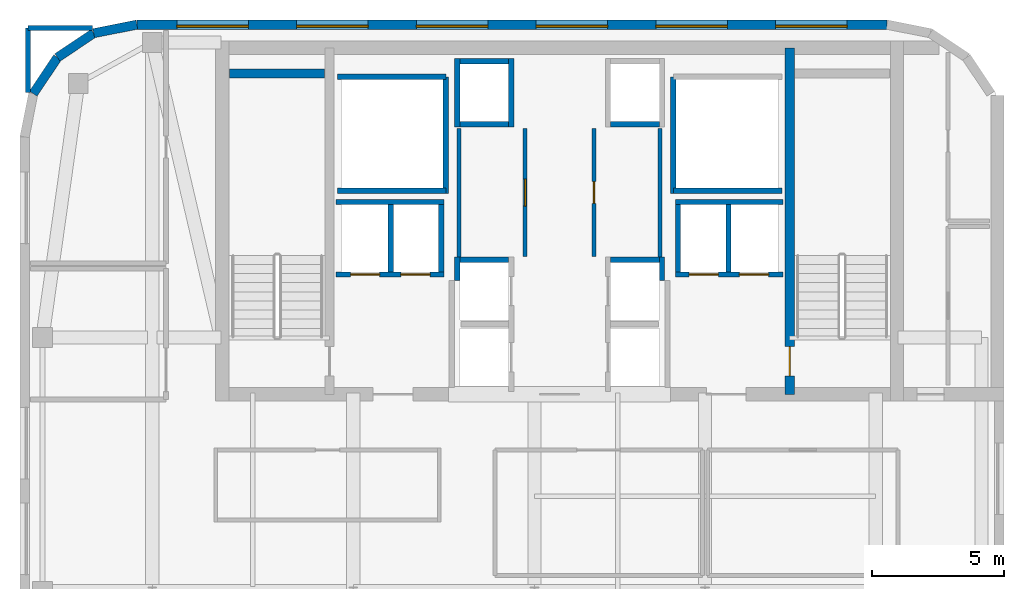
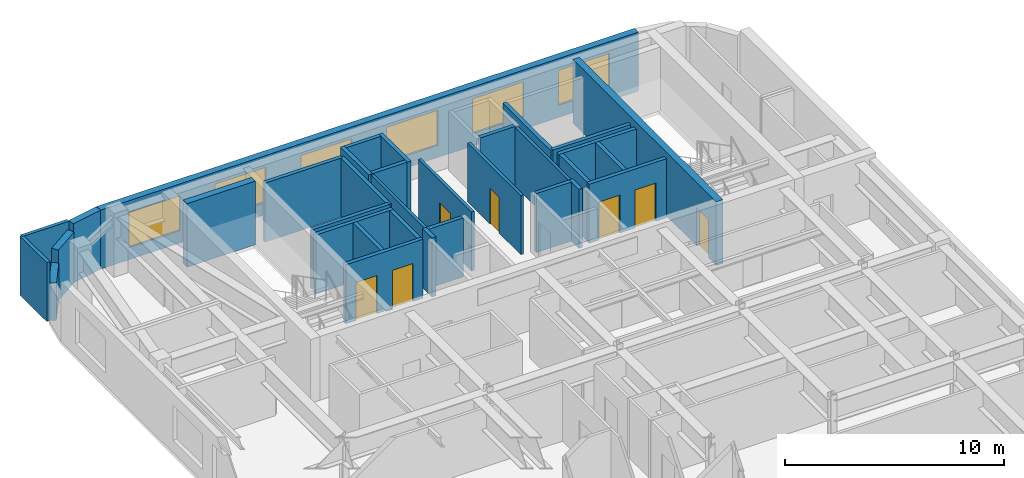
# One storey, part 6 of 8: 34 walls, 7 doors, 6 windows, 13 openings.
"""IFC4 building model written with IfcOpenShell, lengths in metres."""

from ifc_helpers import new_model, si_unit, direction, frame, frame_2d, origin, place, context, subcontext, project, spatial, rectangle, extrude, source, transform, mapped, material, layer, layer_set, type_object, type_shapes, element, fill, save


model = new_model("IFC4")

# Units and contexts
model_context = context("Model", 3, precision=1e-05, world=origin(), true_north=direction((0.0, 1.0)))
body_context = subcontext(model_context, "Body", "Model", "MODEL_VIEW")
ifc_project = project(units=[si_unit("LENGTHUNIT", "METRE"), si_unit("AREAUNIT", "SQUARE_METRE"), si_unit("VOLUMEUNIT", "CUBIC_METRE"), si_unit("PLANEANGLEUNIT", "RADIAN"), si_unit("MASSUNIT", "GRAM", prefix="KILO")], contexts=[model_context])

# Site, building, storey
site_placement = place(None, origin())
site = spatial("IfcSite", under=ifc_project, at=site_placement, CompositionType="ELEMENT")
building_placement = place(site_placement, origin())
building = spatial("IfcBuilding", under=site, at=building_placement, Name="Tolvann Quenvar Hotel", CompositionType="ELEMENT")
storey_placement = place(building_placement, frame((0.0, 0.0, 238.10009765625)))
storey = spatial("IfcBuildingStorey", under=building, at=storey_placement, Name="L63", CompositionType="ELEMENT", Elevation=238.10009765625)

# Wall, opening, door
ifc_material_1 = material(Name="Concrete S65 (65 MPa)", Category="concrete")
ifc_layer_1 = layer(ifc_material_1, 0.35009765625)
ifc_layer_set_1 = layer_set([ifc_layer_1], Name="Concrete S65 (65 MPa)")
wall_type_1 = type_object("IfcWallType", Name="WALL_CORE_INT_350", PredefinedType="SHEAR", material=ifc_layer_set_1)
wall_1_placement = place(storey_placement, frame((31.699951171875, 31.85009765625, 0.0), z_axis=(0.0, 0.0, 1.0), x_axis=(0.0, 1.0, 0.0)))
wall_1 = element("IfcWall", 1, at=wall_1_placement, inside=storey, type_object=wall_type_1, Name="Core Internal Web Shear Wall WEB-E (L63)", PredefinedType="SHEAR", context=body_context, shape_type="SweptSolid", body=[
    extrude(rectangle(XDim=13.099853515625, YDim=0.35009765625, at=frame_2d((6.5498046875, 0.0))), origin(), (0.0, 0.0, 1.0), 3.5498046875),
])
opening_1_placement = place(wall_1_placement, frame((1.800048828125, 0.0, 0.0), z_axis=(0.0, 0.0, 1.0), x_axis=(-1.0, 0.0, 0.0)))
opening_1 = element("IfcOpeningElement", 2, at=opening_1_placement, cuts=wall_1, Name="Opening FD-120", PredefinedType="OPENING", context=body_context, shape_type="SweptSolid", body=[
    extrude(rectangle(XDim=1.10009765625, YDim=2.1201171875, at=frame_2d((0.550048828125, 1.06005859375))), frame((0.0, 0.18505859375, 0.0), z_axis=(0.0, -1.0, 0.0), x_axis=(1.0, 0.0, 0.0)), (0.0, 0.0, 1.0), 0.3701171875),
])
ifc_material_2 = material(Name="Pressed galvanised steel fire-rated door set", Category="steel")
door_type_1 = type_object("IfcDoorType", Name="DOOR_FIRE_STAIR_1100", OperationType="NOTDEFINED", PredefinedType="DOOR", material=ifc_material_2)
shared_shape_1 = source(origin(), body_context, "Body", "SweptSolid", [
    extrude(rectangle(XDim=1.10009765625, YDim=2.1201171875, at=frame_2d((0.550048828125, 1.06005859375))), frame((0.0, 0.02490234375, 0.0), z_axis=(0.0, -1.0, 0.0), x_axis=(1.0, 0.0, 0.0)), (0.0, 0.0, 1.0), 0.050048828125),
])
type_shapes(door_type_1, [shared_shape_1])
door_1_placement = place(opening_1_placement, origin())
door_1 = element("IfcDoor", 3, at=door_1_placement, inside=storey, type_object=door_type_1, Name="Exit Stair ST-C2 Fire Door (L63)", OperationType="SINGLE_SWING_LEFT", OverallHeight=2.1201171875, OverallWidth=1.10009765625, PredefinedType="DOOR", context=body_context, shape_type="MappedRepresentation", body=[
    mapped(shared_shape_1, transform((0.0, 0.0, 0.0), x_axis=(1.0, 0.0, 0.0), y_axis=(0.0, 1.0, 0.0), z_axis=(0.0, 0.0, 1.0), scale=1.0)),
])
fill(opening_1, door_1)

# Wall
wall_2_placement = place(storey_placement, frame((10.52001953125, 43.97509765625, 0.0), z_axis=(0.0, 0.0, 1.0), x_axis=(1.0, 0.0, 0.0)))
element("IfcWall", 4, at=wall_2_placement, inside=storey, type_object=wall_type_1, Name="Core Stair North Closing Shear Wall STC1-N (L63)", PredefinedType="SHEAR", context=body_context, shape_type="SweptSolid", body=[
    extrude(rectangle(XDim=3.60009765625, YDim=0.35009765625, at=frame_2d((1.800048828125, 0.0))), origin(), (0.0, 0.0, 1.0), 3.5498046875),
])

# Wall, openings, windows
ifc_material_3 = material(Name="Kiln-fired red and buff architectural clay brickwork and terracotta masonry", Category="masonry")
ifc_layer_2 = layer(ifc_material_3, 0.35009765625)
ifc_layer_set_2 = layer_set([ifc_layer_2], Name="Kiln-fired red and buff architectural clay brickwork and terracotta masonry")
wall_type_2 = type_object("IfcWallType", Name="WALL_EXT_BRICK_350", PredefinedType="SOLIDWALL", material=ifc_layer_set_2)
wall_3_placement = place(storey_placement, frame((35.3828125, 45.824951171875, 0.0), z_axis=(0.0, 0.0, 1.0), x_axis=(-1.0, 0.0, 0.0)))
wall_3 = element("IfcWall", 5, at=wall_3_placement, inside=storey, type_object=wall_type_2, Name="Exterior Chicago Brick Wall L63-E14", PredefinedType="SOLIDWALL", context=body_context, shape_type="SweptSolid", body=[
    extrude(rectangle(XDim=28.36572265625, YDim=0.35009765625, at=frame_2d((14.182861328125, 0.0))), origin(), (0.0, 0.0, 1.0), 3.289794921875),
])
opening_2_placement = place(wall_3_placement, frame((1.513916015625, 0.0, 0.679931640625)))
opening_2 = element("IfcOpeningElement", 6, at=opening_2_placement, cuts=wall_3, Name="Opening W-04", PredefinedType="OPENING", context=body_context, shape_type="SweptSolid", body=[
    extrude(rectangle(XDim=2.699951171875, YDim=1.949951171875, at=frame_2d((1.35009765625, 0.97509765625))), frame((0.0, 0.18505859375, 0.0), z_axis=(0.0, -1.0, 0.0), x_axis=(1.0, 0.0, 0.0)), (0.0, 0.0, 1.0), 0.3701171875),
])
opening_3_placement = place(wall_3_placement, frame((6.041015625, 0.0, 0.679931640625)))
opening_3 = element("IfcOpeningElement", 7, at=opening_3_placement, cuts=wall_3, Name="Opening W-04", PredefinedType="OPENING", context=body_context, shape_type="SweptSolid", body=[
    extrude(rectangle(XDim=2.699951171875, YDim=1.949951171875, at=frame_2d((1.35009765625, 0.97509765625))), frame((0.0, 0.18505859375, 0.0), z_axis=(0.0, -1.0, 0.0), x_axis=(1.0, 0.0, 0.0)), (0.0, 0.0, 1.0), 0.3701171875),
])
opening_4_placement = place(wall_3_placement, frame((10.569091796875, 0.0, 0.679931640625)))
opening_4 = element("IfcOpeningElement", 8, at=opening_4_placement, cuts=wall_3, Name="Opening W-04", PredefinedType="OPENING", context=body_context, shape_type="SweptSolid", body=[
    extrude(rectangle(XDim=2.699951171875, YDim=1.949951171875, at=frame_2d((1.35009765625, 0.97509765625))), frame((0.0, 0.18505859375, 0.0), z_axis=(0.0, -1.0, 0.0), x_axis=(1.0, 0.0, 0.0)), (0.0, 0.0, 1.0), 0.3701171875),
])
opening_5_placement = place(wall_3_placement, frame((15.096923828125, 0.0, 0.679931640625)))
opening_5 = element("IfcOpeningElement", 9, at=opening_5_placement, cuts=wall_3, Name="Opening W-04", PredefinedType="OPENING", context=body_context, shape_type="SweptSolid", body=[
    extrude(rectangle(XDim=2.699951171875, YDim=1.949951171875, at=frame_2d((1.35009765625, 0.97509765625))), frame((0.0, 0.18505859375, 0.0), z_axis=(0.0, -1.0, 0.0), x_axis=(1.0, 0.0, 0.0)), (0.0, 0.0, 1.0), 0.3701171875),
])
opening_6_placement = place(wall_3_placement, frame((19.6240234375, 0.0, 0.679931640625)))
opening_6 = element("IfcOpeningElement", 10, at=opening_6_placement, cuts=wall_3, Name="Opening W-04", PredefinedType="OPENING", context=body_context, shape_type="SweptSolid", body=[
    extrude(rectangle(XDim=2.699951171875, YDim=1.949951171875, at=frame_2d((1.35009765625, 0.97509765625))), frame((0.0, 0.18505859375, 0.0), z_axis=(0.0, -1.0, 0.0), x_axis=(1.0, 0.0, 0.0)), (0.0, 0.0, 1.0), 0.3701171875),
])
opening_7_placement = place(wall_3_placement, frame((24.152099609375, 0.0, 0.679931640625)))
opening_7 = element("IfcOpeningElement", 11, at=opening_7_placement, cuts=wall_3, Name="Opening W-04", PredefinedType="OPENING", context=body_context, shape_type="SweptSolid", body=[
    extrude(rectangle(XDim=2.699951171875, YDim=1.949951171875, at=frame_2d((1.35009765625, 0.97509765625))), frame((0.0, 0.18505859375, 0.0), z_axis=(0.0, -1.0, 0.0), x_axis=(1.0, 0.0, 0.0)), (0.0, 0.0, 1.0), 0.3701171875),
])
ifc_material_4 = material(Name="Thermally broken bronze-anodised aluminium frame with double low-E glazing", Category="aluminium")
window_type = type_object("IfcWindowType", Name="WIN_STE_2700x2150", PartitioningType="TRIPLE_PANEL_HORIZONTAL", PredefinedType="WINDOW", material=ifc_material_4)
shared_shape_2 = source(origin(), body_context, "Body", "SweptSolid", [
    extrude(rectangle(XDim=2.699951171875, YDim=1.949951171875, at=frame_2d((1.35009765625, 0.97509765625))), frame((0.0, 0.090087890625, 0.0), z_axis=(0.0, -1.0, 0.0), x_axis=(1.0, 0.0, 0.0)), (0.0, 0.0, 1.0), 0.06005859375),
])
type_shapes(window_type, [shared_shape_2])
window_1_placement = place(opening_2_placement, origin())
window_1 = element("IfcWindow", 12, at=window_1_placement, inside=storey, type_object=window_type, Name="Chicago Window W-04 (EW-L63-E14-W01)", OverallHeight=1.949951171875, OverallWidth=2.699951171875, PartitioningType="TRIPLE_PANEL_HORIZONTAL", PredefinedType="WINDOW", context=body_context, shape_type="MappedRepresentation", body=[
    mapped(shared_shape_2, transform((0.0, 0.0, 0.0), x_axis=(1.0, 0.0, 0.0), y_axis=(0.0, 1.0, 0.0), z_axis=(0.0, 0.0, 1.0), scale=1.0)),
])
fill(opening_2, window_1)
window_2_placement = place(opening_3_placement, origin())
window_2 = element("IfcWindow", 13, at=window_2_placement, inside=storey, type_object=window_type, Name="Chicago Window W-04 (EW-L63-E14-W02)", OverallHeight=1.949951171875, OverallWidth=2.699951171875, PartitioningType="TRIPLE_PANEL_HORIZONTAL", PredefinedType="WINDOW", context=body_context, shape_type="MappedRepresentation", body=[
    mapped(shared_shape_2, transform((0.0, 0.0, 0.0), x_axis=(1.0, 0.0, 0.0), y_axis=(0.0, 1.0, 0.0), z_axis=(0.0, 0.0, 1.0), scale=1.0)),
])
fill(opening_3, window_2)
window_3_placement = place(opening_4_placement, origin())
window_3 = element("IfcWindow", 14, at=window_3_placement, inside=storey, type_object=window_type, Name="Chicago Window W-04 (EW-L63-E14-W03)", OverallHeight=1.949951171875, OverallWidth=2.699951171875, PartitioningType="TRIPLE_PANEL_HORIZONTAL", PredefinedType="WINDOW", context=body_context, shape_type="MappedRepresentation", body=[
    mapped(shared_shape_2, transform((0.0, 0.0, 0.0), x_axis=(1.0, 0.0, 0.0), y_axis=(0.0, 1.0, 0.0), z_axis=(0.0, 0.0, 1.0), scale=1.0)),
])
fill(opening_4, window_3)
window_4_placement = place(opening_5_placement, origin())
window_4 = element("IfcWindow", 15, at=window_4_placement, inside=storey, type_object=window_type, Name="Chicago Window W-04 (EW-L63-E14-W04)", OverallHeight=1.949951171875, OverallWidth=2.699951171875, PartitioningType="TRIPLE_PANEL_HORIZONTAL", PredefinedType="WINDOW", context=body_context, shape_type="MappedRepresentation", body=[
    mapped(shared_shape_2, transform((0.0, 0.0, 0.0), x_axis=(1.0, 0.0, 0.0), y_axis=(0.0, 1.0, 0.0), z_axis=(0.0, 0.0, 1.0), scale=1.0)),
])
fill(opening_5, window_4)
window_5_placement = place(opening_6_placement, origin())
window_5 = element("IfcWindow", 16, at=window_5_placement, inside=storey, type_object=window_type, Name="Chicago Window W-04 (EW-L63-E14-W05)", OverallHeight=1.949951171875, OverallWidth=2.699951171875, PartitioningType="TRIPLE_PANEL_HORIZONTAL", PredefinedType="WINDOW", context=body_context, shape_type="MappedRepresentation", body=[
    mapped(shared_shape_2, transform((0.0, 0.0, 0.0), x_axis=(1.0, 0.0, 0.0), y_axis=(0.0, 1.0, 0.0), z_axis=(0.0, 0.0, 1.0), scale=1.0)),
])
fill(opening_6, window_5)
window_6_placement = place(opening_7_placement, origin())
window_6 = element("IfcWindow", 17, at=window_6_placement, inside=storey, type_object=window_type, Name="Chicago Window W-04 (EW-L63-E14-W06)", OverallHeight=1.949951171875, OverallWidth=2.699951171875, PartitioningType="TRIPLE_PANEL_HORIZONTAL", PredefinedType="WINDOW", context=body_context, shape_type="MappedRepresentation", body=[
    mapped(shared_shape_2, transform((0.0, 0.0, 0.0), x_axis=(1.0, 0.0, 0.0), y_axis=(0.0, 1.0, 0.0), z_axis=(0.0, 0.0, 1.0), scale=1.0)),
])
fill(opening_7, window_6)

# Walls
wall_4_placement = place(storey_placement, frame((7.01708984375, 45.824951171875, 0.0), z_axis=(0.0, 0.0, 1.0), x_axis=(-0.980788844421, -0.195072403631, 0.0)))
element("IfcWall", 18, at=wall_4_placement, inside=storey, type_object=wall_type_2, Name="Exterior Chicago Brick Wall L63-E15", PredefinedType="SOLIDWALL", context=body_context, shape_type="SweptSolid", body=[
    extrude(rectangle(XDim=1.66455078125, YDim=0.35009765625, at=frame_2d((0.832275390625, 0.0))), origin(), (0.0, 0.0, 1.0), 3.289794921875),
])
wall_5_placement = place(storey_placement, frame((5.384521484375, 45.500244140625, 0.0), z_axis=(0.0, 0.0, 1.0), x_axis=(-0.831502623162, -0.555520825599, 0.0)))
element("IfcWall", 19, at=wall_5_placement, inside=storey, type_object=wall_type_2, Name="Exterior Chicago Brick Wall L63-E16", PredefinedType="SOLIDWALL", context=body_context, shape_type="SweptSolid", body=[
    extrude(rectangle(XDim=1.647216796875, YDim=0.35009765625, at=frame_2d((0.82373046875, 0.0))), origin(), (0.0, 0.0, 1.0), 2.81982421875),
])
wall_6_placement = place(storey_placement, frame((4.014892578125, 44.585205078125, 0.0), z_axis=(0.0, 0.0, 1.0), x_axis=(-0.555623290322, -0.831434158098, 0.0)))
element("IfcWall", 20, at=wall_6_placement, inside=storey, type_object=wall_type_2, Name="Exterior Chicago Brick Wall L63-E17", PredefinedType="SOLIDWALL", context=body_context, shape_type="SweptSolid", body=[
    extrude(rectangle(XDim=1.647216796875, YDim=0.35009765625, at=frame_2d((0.82373046875, 0.0))), origin(), (0.0, 0.0, 1.0), 2.079833984375),
])
ifc_material_5 = material(Name="Acoustic twin-stud fire-rated gypsum plasterboard partition")
ifc_layer_3 = layer(ifc_material_5, 0.179931640625)
ifc_layer_set_3 = layer_set([ifc_layer_3], Name="Acoustic twin-stud fire-rated gypsum plasterboard partition")
wall_type_3 = type_object("IfcWallType", Name="WALL_PART_ACOUSTIC_180", PredefinedType="PARTITIONING", material=ifc_layer_set_3)
for number, where, z_axis, x_axis, name in (
    (21, (2.89990234375, 45.699951171875, 0.0), (0.0, 0.0, 1.0), (1.0, 0.0, 0.0), "Interior Partition PT-SPC-L63-STD-N"),
    (22, (2.89990234375, 43.2548828125, 0.0), (0.0, 0.0, 1.0), (0.0, 1.0, 0.0), "Interior Partition PT-SPC-L63-STD-W"),
):
    element("IfcWall", number, at=place(storey_placement, frame(where, z_axis=z_axis, x_axis=x_axis)), inside=storey, type_object=wall_type_3, Name=name, PredefinedType="PARTITIONING", context=body_context, shape_type="SweptSolid", body=[
        extrude(rectangle(XDim=2.445068359375, YDim=0.179931640625, at=frame_2d((1.22265625, 0.0))), origin(), (0.0, 0.0, 1.0), 3.289794921875),
    ])

# Wall, opening, door
ifc_layer_4 = layer(ifc_material_5, 0.14990234375)
ifc_layer_set_4 = layer_set([ifc_layer_4], Name="Acoustic twin-stud fire-rated gypsum plasterboard partition")
wall_type_4 = type_object("IfcWallType", Name="WALL_PART_SUITE_150", PredefinedType="PARTITIONING", material=ifc_layer_set_4)
wall_7_placement = place(storey_placement, frame((21.699951171875, 37.050048828125, 0.0), z_axis=(0.0, 0.0, 1.0), x_axis=(0.0, 1.0, 0.0)))
wall_7 = element("IfcWall", 23, at=wall_7_placement, inside=storey, type_object=wall_type_4, Name="Interior Partition PT-SPC-L63-RECPM-1-ENT", PredefinedType="PARTITIONING", context=body_context, shape_type="SweptSolid", body=[
    extrude(rectangle(XDim=4.849853515625, YDim=0.14990234375, at=frame_2d((2.4248046875, 0.0))), origin(), (0.0, 0.0, 1.0), 3.289794921875),
])
opening_8_placement = place(wall_7_placement, frame((1.9150390625, 0.0, 0.0)))
opening_8 = element("IfcOpeningElement", 24, at=opening_8_placement, cuts=wall_7, Name="Opening HD-01", PredefinedType="OPENING", context=body_context, shape_type="SweptSolid", body=[
    extrude(rectangle(XDim=1.02001953125, YDim=2.030029296875, at=frame_2d((0.510009765625, 1.01513671875))), frame((0.0, 0.0849609375, 0.0), z_axis=(0.0, -1.0, 0.0), x_axis=(1.0, 0.0, 0.0)), (0.0, 0.0, 1.0), 0.169921875),
])
door_type_2 = type_object("IfcDoorType", Name="DOOR_BOH_1020", OperationType="NOTDEFINED", PredefinedType="DOOR", material=ifc_material_2)
shared_shape_3 = source(origin(), body_context, "Body", "SweptSolid", [
    extrude(rectangle(XDim=1.02001953125, YDim=2.030029296875, at=frame_2d((0.510009765625, 1.01513671875))), frame((0.0, 0.02490234375, 0.0), z_axis=(0.0, -1.0, 0.0), x_axis=(1.0, 0.0, 0.0)), (0.0, 0.0, 1.0), 0.050048828125),
])
type_shapes(door_type_2, [shared_shape_3])
door_2_placement = place(opening_8_placement, origin())
door_2 = element("IfcDoor", 25, at=door_2_placement, inside=storey, type_object=door_type_2, Name="Interior Door DOOR-SPC-L63-RECPM-1", OperationType="SINGLE_SWING_LEFT", OverallHeight=2.030029296875, OverallWidth=1.02001953125, PredefinedType="DOOR", context=body_context, shape_type="MappedRepresentation", body=[
    mapped(shared_shape_3, transform((0.0, 0.0, 0.0), x_axis=(1.0, 0.0, 0.0), y_axis=(0.0, 1.0, 0.0), z_axis=(0.0, 0.0, 1.0), scale=1.0)),
])
fill(opening_8, door_2)

# Wall
wall_8_placement = place(storey_placement, frame((19.199951171875, 37.0400390625, 0.0), z_axis=(0.0, 0.0, 1.0), x_axis=(0.0, 1.0, 0.0)))
element("IfcWall", 26, at=wall_8_placement, inside=storey, type_object=wall_type_4, Name="Interior Partition PT-SPC-L63-RECPM-1-W", PredefinedType="PARTITIONING", context=body_context, shape_type="SweptSolid", body=[
    extrude(rectangle(XDim=4.85986328125, YDim=0.14990234375, at=frame_2d((2.429931640625, 0.0))), origin(), (0.0, 0.0, 1.0), 3.289794921875),
])

# Wall, opening, door
wall_9_placement = place(storey_placement, frame((24.300048828125, 37.050048828125, 0.0), z_axis=(0.0, 0.0, 1.0), x_axis=(0.0, 1.0, 0.0)))
wall_9 = element("IfcWall", 27, at=wall_9_placement, inside=storey, type_object=wall_type_4, Name="Interior Partition PT-SPC-L63-RECPM-2-ENT", PredefinedType="PARTITIONING", context=body_context, shape_type="SweptSolid", body=[
    extrude(rectangle(XDim=4.849853515625, YDim=0.14990234375, at=frame_2d((2.4248046875, 0.0))), origin(), (0.0, 0.0, 1.0), 3.289794921875),
])
opening_9_placement = place(wall_9_placement, frame((2.014892578125, 0.0, 0.0)))
opening_9 = element("IfcOpeningElement", 28, at=opening_9_placement, cuts=wall_9, Name="Opening HD-02", PredefinedType="OPENING", context=body_context, shape_type="SweptSolid", body=[
    extrude(rectangle(XDim=0.820068359375, YDim=2.010009765625, at=frame_2d((0.41015625, 1.0048828125))), frame((0.0, 0.0849609375, 0.0), z_axis=(0.0, -1.0, 0.0), x_axis=(1.0, 0.0, 0.0)), (0.0, 0.0, 1.0), 0.169921875),
])
door_type_3 = type_object("IfcDoorType", Name="DOOR_STORE_820", OperationType="NOTDEFINED", PredefinedType="DOOR", material=ifc_material_2)
shared_shape_4 = source(origin(), body_context, "Body", "SweptSolid", [
    extrude(rectangle(XDim=0.820068359375, YDim=2.010009765625, at=frame_2d((0.41015625, 1.0048828125))), frame((0.0, 0.02490234375, 0.0), z_axis=(0.0, -1.0, 0.0), x_axis=(1.0, 0.0, 0.0)), (0.0, 0.0, 1.0), 0.050048828125),
])
type_shapes(door_type_3, [shared_shape_4])
door_3_placement = place(opening_9_placement, origin())
door_3 = element("IfcDoor", 29, at=door_3_placement, inside=storey, type_object=door_type_3, Name="Interior Door DOOR-SPC-L63-RECPM-2", OperationType="SINGLE_SWING_RIGHT", OverallHeight=2.010009765625, OverallWidth=0.820068359375, PredefinedType="DOOR", context=body_context, shape_type="MappedRepresentation", body=[
    mapped(shared_shape_4, transform((0.0, 0.0, 0.0), x_axis=(1.0, 0.0, 0.0), y_axis=(0.0, 1.0, 0.0), z_axis=(0.0, 0.0, 1.0), scale=1.0)),
])
fill(opening_9, door_3)

# Walls
wall_10_placement = place(storey_placement, frame((26.800048828125, 37.0400390625, 0.0), z_axis=(0.0, 0.0, 1.0), x_axis=(0.0, 1.0, 0.0)))
element("IfcWall", 30, at=wall_10_placement, inside=storey, type_object=wall_type_4, Name="Interior Partition PT-SPC-L63-RECPM-2-E", PredefinedType="PARTITIONING", context=body_context, shape_type="SweptSolid", body=[
    extrude(rectangle(XDim=4.85986328125, YDim=0.14990234375, at=frame_2d((2.429931640625, 0.0))), origin(), (0.0, 0.0, 1.0), 3.289794921875),
])
ifc_material_6 = material(Name="Concrete N40 (40 MPa)", Category="concrete")
ifc_layer_5 = layer(ifc_material_6, 0.199951171875)
ifc_layer_set_5 = layer_set([ifc_layer_5], Name="Concrete N40 (40 MPa)")
wall_type_5 = type_object("IfcWallType", Name="WALL_SHAFT_200", PredefinedType="SOLIDWALL", material=ifc_layer_set_5)
wall_11_placement = place(storey_placement, frame((18.699951171875, 39.449951171875, 0.0), z_axis=(0.0, 0.0, 1.0), x_axis=(0.0, 1.0, 0.0)))
element("IfcWall", 31, at=wall_11_placement, inside=storey, type_object=wall_type_5, Name="Service Riser W Shaft Wall IN (L63)", PredefinedType="SOLIDWALL", context=body_context, shape_type="SweptSolid", body=[
    extrude(rectangle(XDim=4.400146484375, YDim=0.199951171875, at=frame_2d((2.2001953125, 0.0))), origin(), (0.0, 0.0, 1.0), 3.289794921875),
])
for number, where, z_axis, x_axis, name in (
    (32, (14.60009765625, 39.550048828125, 0.0), (0.0, 0.0, 1.0), (1.0, 0.0, 0.0), "Service Riser W Shaft Wall S (L63)"),
    (33, (14.60009765625, 43.85009765625, 0.0), (0.0, 0.0, 1.0), (1.0, 0.0, 0.0), "Service Riser W Shaft Wall N (L63)"),
):
    element("IfcWall", number, at=place(storey_placement, frame(where, z_axis=z_axis, x_axis=x_axis)), inside=storey, type_object=wall_type_5, Name=name, PredefinedType="SOLIDWALL", context=body_context, shape_type="SweptSolid", body=[
        extrude(rectangle(XDim=4.099853515625, YDim=0.199951171875, at=frame_2d((2.0498046875, 0.0))), origin(), (0.0, 0.0, 1.0), 3.289794921875),
    ])
wall_12_placement = place(storey_placement, frame((27.300048828125, 39.449951171875, 0.0), z_axis=(0.0, 0.0, 1.0), x_axis=(0.0, 1.0, 0.0)))
element("IfcWall", 34, at=wall_12_placement, inside=storey, type_object=wall_type_5, Name="Service Riser E Shaft Wall IN (L63)", PredefinedType="SOLIDWALL", context=body_context, shape_type="SweptSolid", body=[
    extrude(rectangle(XDim=4.400146484375, YDim=0.199951171875, at=frame_2d((2.2001953125, 0.0))), origin(), (0.0, 0.0, 1.0), 3.289794921875),
])
wall_13_placement = place(storey_placement, frame((27.300048828125, 39.550048828125, 0.0), z_axis=(0.0, 0.0, 1.0), x_axis=(1.0, 0.0, 0.0)))
element("IfcWall", 35, at=wall_13_placement, inside=storey, type_object=wall_type_5, Name="Service Riser E Shaft Wall S (L63)", PredefinedType="SOLIDWALL", context=body_context, shape_type="SweptSolid", body=[
    extrude(rectangle(XDim=4.099853515625, YDim=0.199951171875, at=frame_2d((2.0498046875, 0.0))), origin(), (0.0, 0.0, 1.0), 3.289794921875),
])
wall_14_placement = place(storey_placement, frame((19.1298828125, 36.159912109375, 0.0), z_axis=(0.0, 0.0, 1.0), x_axis=(0.0, 1.0, 0.0)))
element("IfcWall", 36, at=wall_14_placement, inside=storey, type_object=wall_type_5, Name="Lift Bank E21.1C1 Hoistway Rear Wall (L63)", PredefinedType="SOLIDWALL", context=body_context, shape_type="SweptSolid", body=[
    extrude(rectangle(XDim=0.880126953125, YDim=0.199951171875, at=frame_2d((0.43994140625, 0.0))), origin(), (0.0, 0.0, 1.0), 3.289794921875),
])
wall_15_placement = place(storey_placement, frame((19.22998046875, 36.93994140625, 0.0), z_axis=(0.0, 0.0, 1.0), x_axis=(1.0, 0.0, 0.0)))
element("IfcWall", 37, at=wall_15_placement, inside=storey, type_object=wall_type_5, Name="Lift Bank E21.1C1 Hoistway Cheek Wall 2 (L63)", PredefinedType="SOLIDWALL", context=body_context, shape_type="SweptSolid", body=[
    extrude(rectangle(XDim=1.840087890625, YDim=0.199951171875, at=frame_2d((0.919921875, 0.0))), origin(), (0.0, 0.0, 1.0), 3.289794921875),
])
for number, where, z_axis, x_axis, name in (
    (38, (21.169921875, 41.9599609375, 0.0), (0.0, 0.0, 1.0), (0.0, 1.0, 0.0), "Lift Bank E21.1C2 Hoistway Front Wall (L63)"),
    (39, (19.1298828125, 41.9599609375, 0.0), (0.0, 0.0, 1.0), (0.0, 1.0, 0.0), "Lift Bank E21.1C2 Hoistway Rear Wall (L63)"),
):
    element("IfcWall", number, at=place(storey_placement, frame(where, z_axis=z_axis, x_axis=x_axis)), inside=storey, type_object=wall_type_5, Name=name, PredefinedType="SOLIDWALL", context=body_context, shape_type="SweptSolid", body=[
        extrude(rectangle(XDim=2.580078125, YDim=0.199951171875, at=frame_2d((1.2900390625, 0.0))), origin(), (0.0, 0.0, 1.0), 3.289794921875),
    ])
for number, where, z_axis, x_axis, name in (
    (40, (19.22998046875, 42.06005859375, 0.0), (0.0, 0.0, 1.0), (1.0, 0.0, 0.0), "Lift Bank E21.1C2 Hoistway Cheek Wall 1 (L63)"),
    (41, (19.22998046875, 44.43994140625, 0.0), (0.0, 0.0, 1.0), (1.0, 0.0, 0.0), "Lift Bank E21.1C2 Hoistway Cheek Wall 2 (L63)"),
):
    element("IfcWall", number, at=place(storey_placement, frame(where, z_axis=z_axis, x_axis=x_axis)), inside=storey, type_object=wall_type_5, Name=name, PredefinedType="SOLIDWALL", context=body_context, shape_type="SweptSolid", body=[
        extrude(rectangle(XDim=1.840087890625, YDim=0.199951171875, at=frame_2d((0.919921875, 0.0))), origin(), (0.0, 0.0, 1.0), 3.289794921875),
    ])

# Wall, openings, doors
wall_16_placement = place(storey_placement, frame((27.375, 36.3798828125, 0.0), z_axis=(0.0, 0.0, 1.0), x_axis=(1.0, 0.0, 0.0)))
wall_16 = element("IfcWall", 42, at=wall_16_placement, inside=storey, type_object=wall_type_5, Name="Lift Bank SEC1 Hoistway Front Wall (L63)", PredefinedType="SOLIDWALL", context=body_context, shape_type="SweptSolid", body=[
    extrude(rectangle(XDim=4.074951171875, YDim=0.199951171875, at=frame_2d((2.03759765625, 0.0))), origin(), (0.0, 0.0, 1.0), 3.289794921875),
])
opening_10_placement = place(wall_16_placement, frame((0.52490234375, 0.0, 0.0)))
opening_10 = element("IfcOpeningElement", 43, at=opening_10_placement, cuts=wall_16, Name="Opening LD-01", PredefinedType="OPENING", context=body_context, shape_type="SweptSolid", body=[
    extrude(rectangle(XDim=1.10009765625, YDim=2.1201171875, at=frame_2d((0.550048828125, 1.06005859375))), frame((0.0, 0.10986328125, 0.0), z_axis=(0.0, -1.0, 0.0), x_axis=(1.0, 0.0, 0.0)), (0.0, 0.0, 1.0), 0.219970703125),
])
opening_11_placement = place(wall_16_placement, frame((2.425048828125, 0.0, 0.0)))
opening_11 = element("IfcOpeningElement", 44, at=opening_11_placement, cuts=wall_16, Name="Opening LD-01", PredefinedType="OPENING", context=body_context, shape_type="SweptSolid", body=[
    extrude(rectangle(XDim=1.10009765625, YDim=2.1201171875, at=frame_2d((0.550048828125, 1.06005859375))), frame((0.0, 0.10986328125, 0.0), z_axis=(0.0, -1.0, 0.0), x_axis=(1.0, 0.0, 0.0)), (0.0, 0.0, 1.0), 0.219970703125),
])
ifc_material_7 = material(Name="Brushed 316 stainless steel automatic sliding lift landing door", Category="steel")
door_type_4 = type_object("IfcDoorType", Name="DOOR_LIFT_SLIDE_1100", OperationType="NOTDEFINED", PredefinedType="DOOR", material=ifc_material_7)
shared_shape_5 = source(origin(), body_context, "Body", "SweptSolid", [
    extrude(rectangle(XDim=1.10009765625, YDim=2.1201171875, at=frame_2d((0.550048828125, 1.06005859375))), frame((0.0, 0.02490234375, 0.0), z_axis=(0.0, -1.0, 0.0), x_axis=(1.0, 0.0, 0.0)), (0.0, 0.0, 1.0), 0.050048828125),
])
type_shapes(door_type_4, [shared_shape_5])
door_4_placement = place(opening_10_placement, origin())
door_4 = element("IfcDoor", 45, at=door_4_placement, inside=storey, type_object=door_type_4, Name="Lift SV-2 Sliding Landing Door (L63)", OperationType="SLIDING_TO_LEFT", OverallHeight=2.1201171875, OverallWidth=1.10009765625, PredefinedType="DOOR", context=body_context, shape_type="MappedRepresentation", body=[
    mapped(shared_shape_5, transform((0.0, 0.0, 0.0), x_axis=(1.0, 0.0, 0.0), y_axis=(0.0, 1.0, 0.0), z_axis=(0.0, 0.0, 1.0), scale=1.0)),
])
fill(opening_10, door_4)
door_5_placement = place(opening_11_placement, origin())
door_5 = element("IfcDoor", 46, at=door_5_placement, inside=storey, type_object=door_type_4, Name="Lift FF-2 Sliding Landing Door (L63)", OperationType="SLIDING_TO_RIGHT", OverallHeight=2.1201171875, OverallWidth=1.10009765625, PredefinedType="DOOR", context=body_context, shape_type="MappedRepresentation", body=[
    mapped(shared_shape_5, transform((0.0, 0.0, 0.0), x_axis=(1.0, 0.0, 0.0), y_axis=(0.0, 1.0, 0.0), z_axis=(0.0, 0.0, 1.0), scale=1.0)),
])
fill(opening_11, door_5)

# Walls
wall_17_placement = place(storey_placement, frame((27.375, 39.1201171875, 0.0), z_axis=(0.0, 0.0, 1.0), x_axis=(1.0, 0.0, 0.0)))
element("IfcWall", 47, at=wall_17_placement, inside=storey, type_object=wall_type_5, Name="Lift Bank SEC1 Hoistway Rear Wall (L63)", PredefinedType="SOLIDWALL", context=body_context, shape_type="SweptSolid", body=[
    extrude(rectangle(XDim=4.074951171875, YDim=0.199951171875, at=frame_2d((2.03759765625, 0.0))), origin(), (0.0, 0.0, 1.0), 3.289794921875),
])
for number, where, z_axis, x_axis, name in (
    (48, (27.47509765625, 36.47998046875, 0.0), (0.0, 0.0, 1.0), (0.0, 1.0, 0.0), "Lift Bank SEC1 Hoistway Cheek Wall 1 (L63)"),
    (49, (29.387451171875, 36.47998046875, 0.0), (0.0, 0.0, 1.0), (0.0, 1.0, 0.0), "Lift Bank SEC1 Divider Wall 1 (L63)"),
):
    element("IfcWall", number, at=place(storey_placement, frame(where, z_axis=z_axis, x_axis=x_axis)), inside=storey, type_object=wall_type_5, Name=name, PredefinedType="SOLIDWALL", context=body_context, shape_type="SweptSolid", body=[
        extrude(rectangle(XDim=2.5400390625, YDim=0.199951171875, at=frame_2d((1.27001953125, 0.0))), origin(), (0.0, 0.0, 1.0), 3.289794921875),
    ])

# Wall, openings, doors
wall_18_placement = place(storey_placement, frame((14.550048828125, 36.3798828125, 0.0), z_axis=(0.0, 0.0, 1.0), x_axis=(1.0, 0.0, 0.0)))
wall_18 = element("IfcWall", 50, at=wall_18_placement, inside=storey, type_object=wall_type_5, Name="Lift Bank SWC1 Hoistway Front Wall (L63)", PredefinedType="SOLIDWALL", context=body_context, shape_type="SweptSolid", body=[
    extrude(rectangle(XDim=4.074951171875, YDim=0.199951171875, at=frame_2d((2.03759765625, 0.0))), origin(), (0.0, 0.0, 1.0), 3.289794921875),
])
opening_12_placement = place(wall_18_placement, frame((0.550048828125, 0.0, 0.0)))
opening_12 = element("IfcOpeningElement", 51, at=opening_12_placement, cuts=wall_18, Name="Opening LD-01", PredefinedType="OPENING", context=body_context, shape_type="SweptSolid", body=[
    extrude(rectangle(XDim=1.10009765625, YDim=2.1201171875, at=frame_2d((0.550048828125, 1.06005859375))), frame((0.0, 0.10986328125, 0.0), z_axis=(0.0, -1.0, 0.0), x_axis=(1.0, 0.0, 0.0)), (0.0, 0.0, 1.0), 0.219970703125),
])
opening_13_placement = place(wall_18_placement, frame((2.449951171875, 0.0, 0.0)))
opening_13 = element("IfcOpeningElement", 52, at=opening_13_placement, cuts=wall_18, Name="Opening LD-01", PredefinedType="OPENING", context=body_context, shape_type="SweptSolid", body=[
    extrude(rectangle(XDim=1.10009765625, YDim=2.1201171875, at=frame_2d((0.550048828125, 1.06005859375))), frame((0.0, 0.10986328125, 0.0), z_axis=(0.0, -1.0, 0.0), x_axis=(1.0, 0.0, 0.0)), (0.0, 0.0, 1.0), 0.219970703125),
])
door_6_placement = place(opening_12_placement, origin())
door_6 = element("IfcDoor", 53, at=door_6_placement, inside=storey, type_object=door_type_4, Name="Lift FF-1 Sliding Landing Door (L63)", OperationType="SLIDING_TO_LEFT", OverallHeight=2.1201171875, OverallWidth=1.10009765625, PredefinedType="DOOR", context=body_context, shape_type="MappedRepresentation", body=[
    mapped(shared_shape_5, transform((0.0, 0.0, 0.0), x_axis=(1.0, 0.0, 0.0), y_axis=(0.0, 1.0, 0.0), z_axis=(0.0, 0.0, 1.0), scale=1.0)),
])
fill(opening_12, door_6)
door_7_placement = place(opening_13_placement, origin())
door_7 = element("IfcDoor", 54, at=door_7_placement, inside=storey, type_object=door_type_4, Name="Lift SV-1 Sliding Landing Door (L63)", OperationType="SLIDING_TO_RIGHT", OverallHeight=2.1201171875, OverallWidth=1.10009765625, PredefinedType="DOOR", context=body_context, shape_type="MappedRepresentation", body=[
    mapped(shared_shape_5, transform((0.0, 0.0, 0.0), x_axis=(1.0, 0.0, 0.0), y_axis=(0.0, 1.0, 0.0), z_axis=(0.0, 0.0, 1.0), scale=1.0)),
])
fill(opening_13, door_7)

# Walls
wall_19_placement = place(storey_placement, frame((14.550048828125, 39.1201171875, 0.0), z_axis=(0.0, 0.0, 1.0), x_axis=(1.0, 0.0, 0.0)))
element("IfcWall", 55, at=wall_19_placement, inside=storey, type_object=wall_type_5, Name="Lift Bank SWC1 Hoistway Rear Wall (L63)", PredefinedType="SOLIDWALL", context=body_context, shape_type="SweptSolid", body=[
    extrude(rectangle(XDim=4.074951171875, YDim=0.199951171875, at=frame_2d((2.03759765625, 0.0))), origin(), (0.0, 0.0, 1.0), 3.289794921875),
])
for number, where, z_axis, x_axis, name in (
    (56, (18.52490234375, 36.47998046875, 0.0), (0.0, 0.0, 1.0), (0.0, 1.0, 0.0), "Lift Bank SWC1 Hoistway Cheek Wall 2 (L63)"),
    (57, (16.612548828125, 36.47998046875, 0.0), (0.0, 0.0, 1.0), (0.0, 1.0, 0.0), "Lift Bank SWC1 Divider Wall 1 (L63)"),
):
    element("IfcWall", number, at=place(storey_placement, frame(where, z_axis=z_axis, x_axis=x_axis)), inside=storey, type_object=wall_type_5, Name=name, PredefinedType="SOLIDWALL", context=body_context, shape_type="SweptSolid", body=[
        extrude(rectangle(XDim=2.5400390625, YDim=0.199951171875, at=frame_2d((1.27001953125, 0.0))), origin(), (0.0, 0.0, 1.0), 3.289794921875),
    ])
wall_20_placement = place(storey_placement, frame((26.8701171875, 36.159912109375, 0.0), z_axis=(0.0, 0.0, 1.0), x_axis=(0.0, 1.0, 0.0)))
element("IfcWall", 58, at=wall_20_placement, inside=storey, type_object=wall_type_5, Name="Lift Bank W24.9C1 Hoistway Rear Wall (L63)", PredefinedType="SOLIDWALL", context=body_context, shape_type="SweptSolid", body=[
    extrude(rectangle(XDim=0.880126953125, YDim=0.199951171875, at=frame_2d((0.43994140625, 0.0))), origin(), (0.0, 0.0, 1.0), 3.289794921875),
])
for number, where, z_axis, x_axis, name in (
    (59, (24.929931640625, 36.93994140625, 0.0), (0.0, 0.0, 1.0), (1.0, 0.0, 0.0), "Lift Bank W24.9C1 Hoistway Cheek Wall 2 (L63)"),
    (60, (24.929931640625, 42.06005859375, 0.0), (0.0, 0.0, 1.0), (1.0, 0.0, 0.0), "Lift Bank W24.9C2 Hoistway Cheek Wall 1 (L63)"),
):
    element("IfcWall", number, at=place(storey_placement, frame(where, z_axis=z_axis, x_axis=x_axis)), inside=storey, type_object=wall_type_5, Name=name, PredefinedType="SOLIDWALL", context=body_context, shape_type="SweptSolid", body=[
        extrude(rectangle(XDim=1.840087890625, YDim=0.199951171875, at=frame_2d((0.919921875, 0.0))), origin(), (0.0, 0.0, 1.0), 3.289794921875),
    ])

save(model, "model.ifc")
